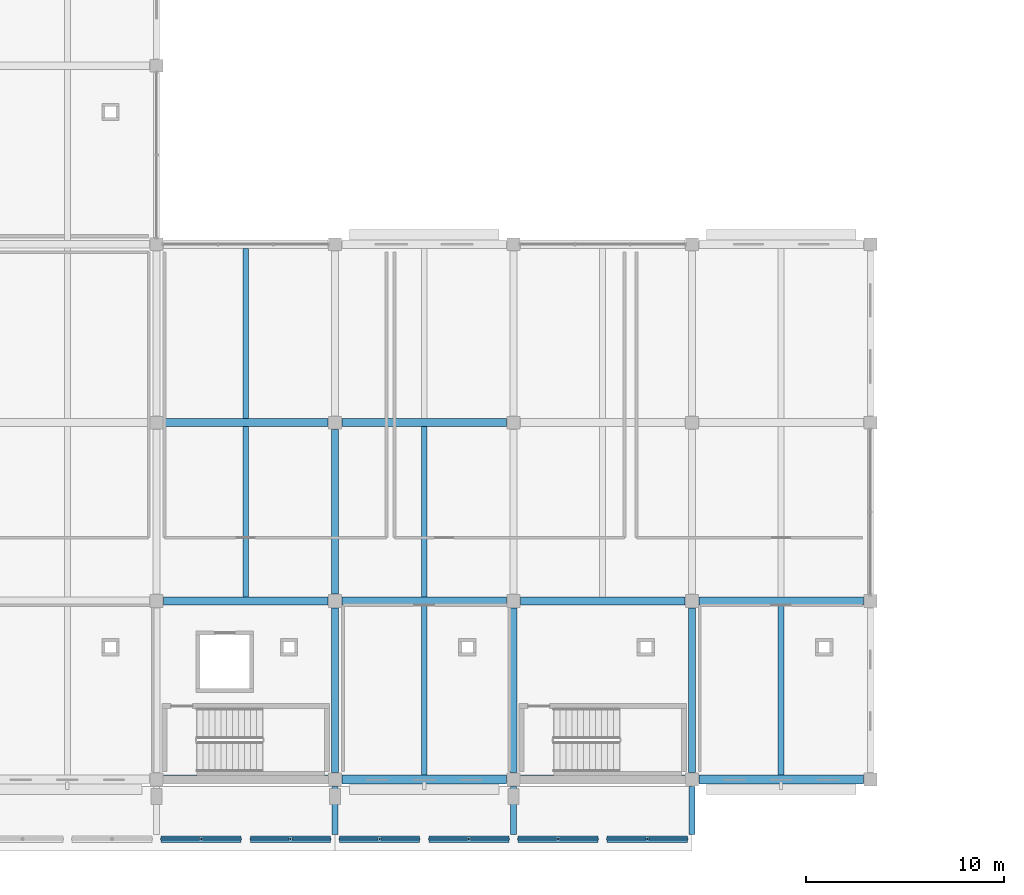
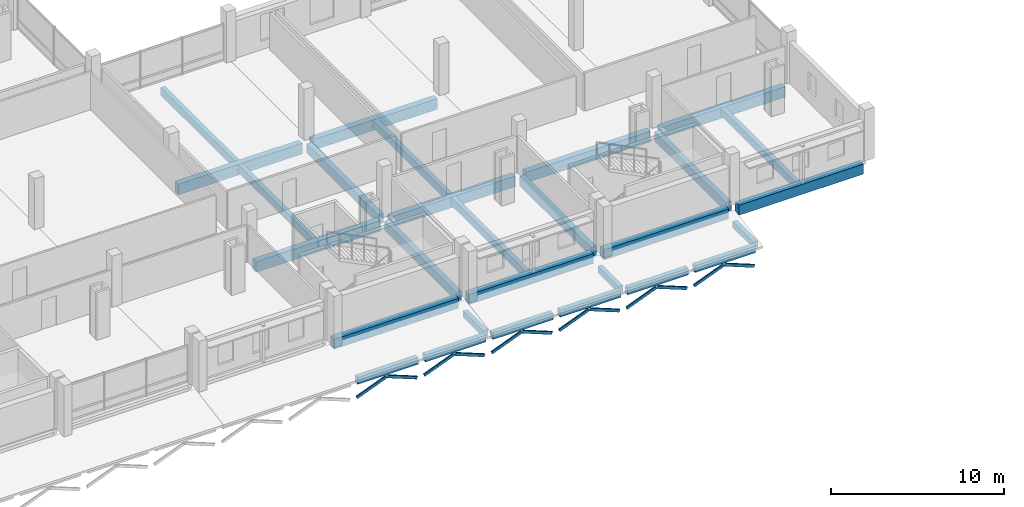
# One storey, part 40 of 132: 28 beams, 12 members.
"""IFC4 building model written with IfcOpenShell, lengths in metres."""

from ifc_helpers import new_model, si_unit, direction, frame, origin, origin_2d, place, context, subcontext, project, spatial, rectangle, hollow_rectangle, extrude, material, material_profile, profile_set, type_object, element, save


model = new_model("IFC4")

# Units and contexts
model_context = context("Model", 3, precision=1e-05, world=origin(), true_north=direction((0.0, 1.0)))
body_context = subcontext(model_context, "Body", "Model", "MODEL_VIEW")
ifc_project = project(units=[si_unit("LENGTHUNIT", "METRE"), si_unit("AREAUNIT", "SQUARE_METRE"), si_unit("VOLUMEUNIT", "CUBIC_METRE"), si_unit("PLANEANGLEUNIT", "RADIAN"), si_unit("MASSUNIT", "GRAM", prefix="KILO")], contexts=[model_context])

# Site, building, storey
site_placement = place(None, origin())
site = spatial("IfcSite", under=ifc_project, at=site_placement, CompositionType="ELEMENT")
building_placement = place(site_placement, origin())
building = spatial("IfcBuilding", under=site, at=building_placement, Name="Tharagai Park Tramway Depot", CompositionType="ELEMENT")
storey_placement = place(building_placement, frame((0.0, 0.0, 4.800048828125)))
storey = spatial("IfcBuildingStorey", under=building, at=storey_placement, Name="L01", CompositionType="ELEMENT", Elevation=4.800048828125)

# Beams
ifc_material_1 = material(Name="Concrete M35", Category="concrete")
ifc_material_profile_1 = material_profile(ifc_material_1, rectangle(XDim=0.35009765625, YDim=0.64990234375, at=origin_2d()), Name="RC 350x650")
ifc_profile_set_1 = profile_set([ifc_material_profile_1], Name="Concrete M35")
beam_type_1 = type_object("IfcBeamType", Name="BM-13", PredefinedType="BEAM", material=ifc_profile_set_1)
for number, where, z_axis, x_axis, name in (
    (1, (72.0, 0.35009765625, -0.574951171875), (0.0, 1.0, 0.0), (-1.0, 0.0, 0.0), "L01 Grid Beam BM-13"),
    (2, (72.0, 9.35009765625, -0.574951171875), (0.0, 1.0, 0.0), (-1.0, 0.0, 0.0), "L01 Grid Beam BM-13"),
    (3, (81.0, 0.35009765625, -0.574951171875), (0.0, 1.0, 0.0), (-1.0, 0.0, 0.0), "L01 Grid Beam BM-13"),
    (4, (90.0, 0.35009765625, -0.574951171875), (0.0, 1.0, 0.0), (-1.0, 0.0, 0.0), "L01 Grid Beam BM-13"),
):
    element("IfcBeam", number, at=place(storey_placement, frame(where, z_axis=z_axis, x_axis=x_axis)), inside=storey, type_object=beam_type_1, Name=name, PredefinedType="BEAM", context=body_context, shape_type="SweptSolid", body=[
        extrude(rectangle(XDim=0.35009765625, YDim=0.64990234375, at=origin_2d()), origin(), (0.0, 0.0, 1.0), 8.2998046875),
    ])
ifc_material_profile_2 = material_profile(ifc_material_1, rectangle(XDim=0.300048828125, YDim=0.449951171875, at=origin_2d()), Name="RC 300x450")
ifc_profile_set_2 = profile_set([ifc_material_profile_2], Name="Concrete M35")
beam_type_2 = type_object("IfcBeamType", Name="BM-14", PredefinedType="BEAM", material=ifc_profile_set_2)
for number, where, z_axis, x_axis, name in (
    (5, (72.0, -2.760009765625, -1.344970703125), (0.0, 1.0, 0.0), (-1.0, 0.0, 0.0), "Gothic Cloister Transverse Tie Beam BM-14"),
    (6, (81.0, -2.760009765625, -1.344970703125), (0.0, 1.0, 0.0), (-1.0, 0.0, 0.0), "Gothic Cloister Transverse Tie Beam BM-14"),
    (7, (90.0, -2.760009765625, -1.344970703125), (0.0, 1.0, 0.0), (-1.0, 0.0, 0.0), "Gothic Cloister Transverse Tie Beam BM-14"),
):
    element("IfcBeam", number, at=place(storey_placement, frame(where, z_axis=z_axis, x_axis=x_axis)), inside=storey, type_object=beam_type_2, Name=name, PredefinedType="BEAM", context=body_context, shape_type="SweptSolid", body=[
        extrude(rectangle(XDim=0.300048828125, YDim=0.449951171875, at=origin_2d()), origin(), (0.0, 0.0, 1.0), 2.39990234375),
    ])
ifc_material_profile_3 = material_profile(ifc_material_1, rectangle(XDim=0.39990234375, YDim=0.75, at=origin_2d()), Name="RC 400x750")
ifc_profile_set_3 = profile_set([ifc_material_profile_3], Name="Concrete M35")
beam_type_3 = type_object("IfcBeamType", Name="BM-19", PredefinedType="BEAM", material=ifc_profile_set_3)
for number, where, z_axis, x_axis, name in (
    (8, (63.35009765625, 9.0, -0.625), (1.0, 0.0, 0.0), (0.0, 1.0, 0.0), "L01 Grid Beam BM-19"),
    (9, (72.35009765625, 9.0, -0.625), (1.0, 0.0, 0.0), (0.0, 1.0, 0.0), "L01 Grid Beam BM-19"),
    (10, (81.35009765625, 9.0, -0.625), (1.0, 0.0, 0.0), (0.0, 1.0, 0.0), "L01 Grid Beam BM-19"),
    (11, (90.35009765625, 9.0, -0.625), (1.0, 0.0, 0.0), (0.0, 1.0, 0.0), "L01 Grid Beam BM-19"),
    (12, (63.35009765625, 18.0, -0.625), (1.0, 0.0, 0.0), (0.0, 1.0, 0.0), "L01 Grid Beam BM-19"),
    (13, (72.35009765625, 18.0, -0.625), (1.0, 0.0, 0.0), (0.0, 1.0, 0.0), "L01 Grid Beam BM-19"),
):
    element("IfcBeam", number, at=place(storey_placement, frame(where, z_axis=z_axis, x_axis=x_axis)), inside=storey, type_object=beam_type_3, Name=name, PredefinedType="BEAM", context=body_context, shape_type="SweptSolid", body=[
        extrude(rectangle(XDim=0.39990234375, YDim=0.75, at=origin_2d()), origin(), (0.0, 0.0, 1.0), 8.2998046875),
    ])
ifc_material_profile_4 = material_profile(ifc_material_1, rectangle(XDim=0.300048828125, YDim=0.550048828125, at=origin_2d()), Name="RC 300x550")
ifc_profile_set_4 = profile_set([ifc_material_profile_4], Name="Concrete M35")
beam_type_4 = type_object("IfcBeamType", Name="JT-06", PredefinedType="JOIST", material=ifc_profile_set_4)
beam_1_placement = place(storey_placement, frame((67.5, 9.199951171875, -0.525146484375), z_axis=(0.0, 1.0, 0.0), x_axis=(-1.0, 0.0, 0.0)))
element("IfcBeam", 14, at=beam_1_placement, inside=storey, type_object=beam_type_4, Name="L01 Secondary Joist JT-06", PredefinedType="JOIST", context=body_context, shape_type="SweptSolid", body=[
    extrude(rectangle(XDim=0.300048828125, YDim=0.550048828125, at=origin_2d()), origin(), (0.0, 0.0, 1.0), 8.60009765625),
])
for number, where, z_axis, x_axis, name in (
    (15, (67.5, 18.199951171875, -0.525146484375), (0.0, 1.0, 0.0), (-1.0, 0.0, 0.0), "L01 Secondary Joist JT-06"),
    (16, (76.5, 0.22509765625, -0.525146484375), (0.0, 1.0, 0.0), (-1.0, 0.0, 0.0), "L01 Secondary Joist JT-06"),
):
    element("IfcBeam", number, at=place(storey_placement, frame(where, z_axis=z_axis, x_axis=x_axis)), inside=storey, type_object=beam_type_4, Name=name, PredefinedType="JOIST", context=body_context, shape_type="SweptSolid", body=[
        extrude(rectangle(XDim=0.300048828125, YDim=0.550048828125, at=origin_2d()), origin(), (0.0, 0.0, 1.0), 8.574951171875),
    ])
beam_2_placement = place(storey_placement, frame((76.5, 9.199951171875, -0.525146484375), z_axis=(0.0, 1.0, 0.0), x_axis=(-1.0, 0.0, 0.0)))
element("IfcBeam", 17, at=beam_2_placement, inside=storey, type_object=beam_type_4, Name="L01 Secondary Joist JT-06", PredefinedType="JOIST", context=body_context, shape_type="SweptSolid", body=[
    extrude(rectangle(XDim=0.300048828125, YDim=0.550048828125, at=origin_2d()), origin(), (0.0, 0.0, 1.0), 8.60009765625),
])
beam_3_placement = place(storey_placement, frame((94.5, 0.22509765625, -0.525146484375), z_axis=(0.0, 1.0, 0.0), x_axis=(-1.0, 0.0, 0.0)))
element("IfcBeam", 18, at=beam_3_placement, inside=storey, type_object=beam_type_4, Name="L01 Secondary Joist JT-06", PredefinedType="JOIST", context=body_context, shape_type="SweptSolid", body=[
    extrude(rectangle(XDim=0.300048828125, YDim=0.550048828125, at=origin_2d()), origin(), (0.0, 0.0, 1.0), 8.574951171875),
])

# Members
ifc_material_2 = material(Name="Steel E350", Category="steel")
ifc_material_profile_5 = material_profile(ifc_material_2, hollow_rectangle(XDim=0.10009765625, YDim=0.199951171875, WallThickness=0.006103515625, InnerFilletRadius=0.006103515625, OuterFilletRadius=0.011962890625, at=origin_2d()), Name="RHS 200x100x6")
ifc_profile_set_5 = profile_set([ifc_material_profile_5], Name="Steel E350")
member_type = type_object("IfcMemberType", Name="RF-04", PredefinedType="RAFTER", material=ifc_profile_set_5)
for number, where, z_axis, x_axis, name in (
    (19, (63.239990234375, -3.0, -2.6201171875), (0.929766353739, 0.0, 0.368150142545), (0.0, 1.0, 0.0), "Pointed Gothic Arcade Arch Rib Left RF-04"),
    (20, (67.260009765625, -3.0, -2.6201171875), (-0.929766353739, 0.0, 0.368150142545), (0.0, -1.0, 0.0), "Pointed Gothic Arcade Arch Rib Right RF-04"),
    (21, (67.739990234375, -3.0, -2.6201171875), (0.929766353739, 0.0, 0.368150142545), (0.0, 1.0, 0.0), "Pointed Gothic Arcade Arch Rib Left RF-04"),
    (22, (71.760009765625, -3.0, -2.6201171875), (-0.929766353739, 0.0, 0.368150142545), (0.0, -1.0, 0.0), "Pointed Gothic Arcade Arch Rib Right RF-04"),
    (23, (72.239990234375, -3.0, -2.6201171875), (0.929766353739, 0.0, 0.368150142545), (0.0, 1.0, 0.0), "Pointed Gothic Arcade Arch Rib Left RF-04"),
    (24, (76.260009765625, -3.0, -2.6201171875), (-0.929766353739, 0.0, 0.368150142545), (0.0, -1.0, 0.0), "Pointed Gothic Arcade Arch Rib Right RF-04"),
    (25, (76.739990234375, -3.0, -2.6201171875), (0.929766353739, 0.0, 0.368150142545), (0.0, 1.0, 0.0), "Pointed Gothic Arcade Arch Rib Left RF-04"),
    (26, (80.760009765625, -3.0, -2.6201171875), (-0.929766353739, 0.0, 0.368150142545), (0.0, -1.0, 0.0), "Pointed Gothic Arcade Arch Rib Right RF-04"),
    (27, (81.239990234375, -3.0, -2.6201171875), (0.929766353739, 0.0, 0.368150142545), (0.0, 1.0, 0.0), "Pointed Gothic Arcade Arch Rib Left RF-04"),
    (28, (85.260009765625, -3.0, -2.6201171875), (-0.929766353739, 0.0, 0.368150142545), (0.0, -1.0, 0.0), "Pointed Gothic Arcade Arch Rib Right RF-04"),
    (29, (85.739990234375, -3.0, -2.6201171875), (0.929766353739, 0.0, 0.368150142545), (0.0, 1.0, 0.0), "Pointed Gothic Arcade Arch Rib Left RF-04"),
    (30, (89.760009765625, -3.0, -2.6201171875), (-0.929766353739, 0.0, 0.368150142545), (0.0, -1.0, 0.0), "Pointed Gothic Arcade Arch Rib Right RF-04"),
):
    element("IfcMember", number, at=place(storey_placement, frame(where, z_axis=z_axis, x_axis=x_axis)), inside=storey, type_object=member_type, Name=name, PredefinedType="RAFTER", context=body_context, shape_type="SweptSolid", body=[
        extrude(hollow_rectangle(XDim=0.10009765625, YDim=0.199951171875, WallThickness=0.006103515625, InnerFilletRadius=0.006103515625, OuterFilletRadius=0.011962890625, at=origin_2d()), origin(), (0.0, 0.0, 1.0), 2.118896484375),
    ])

# Beams
ifc_material_profile_6 = material_profile(ifc_material_1, rectangle(XDim=0.449951171875, YDim=0.699951171875, at=origin_2d()), Name="RC 450x700")
ifc_profile_set_6 = profile_set([ifc_material_profile_6], Name="Concrete M35")
beam_type_5 = type_object("IfcBeamType", Name="SP-01", PredefinedType="SPANDREL", material=ifc_profile_set_6)
for number, where, z_axis, x_axis, name in (
    (31, (63.35009765625, 0.0, -0.60009765625), (1.0, 0.0, 0.0), (0.0, 1.0, 0.0), "L01 Grid Beam SP-01"),
    (32, (72.35009765625, 0.0, -0.60009765625), (1.0, 0.0, 0.0), (0.0, 1.0, 0.0), "L01 Grid Beam SP-01"),
    (33, (81.35009765625, 0.0, -0.60009765625), (1.0, 0.0, 0.0), (0.0, 1.0, 0.0), "L01 Grid Beam SP-01"),
    (34, (90.35009765625, 0.0, -0.60009765625), (1.0, 0.0, 0.0), (0.0, 1.0, 0.0), "L01 Grid Beam SP-01"),
):
    element("IfcBeam", number, at=place(storey_placement, frame(where, z_axis=z_axis, x_axis=x_axis)), inside=storey, type_object=beam_type_5, Name=name, PredefinedType="SPANDREL", context=body_context, shape_type="SweptSolid", body=[
        extrude(rectangle(XDim=0.449951171875, YDim=0.699951171875, at=origin_2d()), origin(), (0.0, 0.0, 1.0), 8.2998046875),
    ])
ifc_material_profile_7 = material_profile(ifc_material_1, rectangle(XDim=0.320068359375, YDim=0.47998046875, at=origin_2d()), Name="RC 320x480")
ifc_profile_set_7 = profile_set([ifc_material_profile_7], Name="Concrete M35")
beam_type_6 = type_object("IfcBeamType", Name="SP-05", PredefinedType="SPANDREL", material=ifc_profile_set_7)
for number, where, z_axis, x_axis, name in (
    (35, (63.22998046875, -3.0, -1.360107421875), (1.0, 0.0, 0.0), (0.0, 1.0, 0.0), "Gothic Cloister Arcade Spandrel Lintel SP-05"),
    (36, (67.72998046875, -3.0, -1.360107421875), (1.0, 0.0, 0.0), (0.0, 1.0, 0.0), "Gothic Cloister Arcade Spandrel Lintel SP-05"),
    (37, (72.22998046875, -3.0, -1.360107421875), (1.0, 0.0, 0.0), (0.0, 1.0, 0.0), "Gothic Cloister Arcade Spandrel Lintel SP-05"),
    (38, (76.72998046875, -3.0, -1.360107421875), (1.0, 0.0, 0.0), (0.0, 1.0, 0.0), "Gothic Cloister Arcade Spandrel Lintel SP-05"),
    (39, (81.22998046875, -3.0, -1.360107421875), (1.0, 0.0, 0.0), (0.0, 1.0, 0.0), "Gothic Cloister Arcade Spandrel Lintel SP-05"),
    (40, (85.72998046875, -3.0, -1.360107421875), (1.0, 0.0, 0.0), (0.0, 1.0, 0.0), "Gothic Cloister Arcade Spandrel Lintel SP-05"),
):
    element("IfcBeam", number, at=place(storey_placement, frame(where, z_axis=z_axis, x_axis=x_axis)), inside=storey, type_object=beam_type_6, Name=name, PredefinedType="SPANDREL", context=body_context, shape_type="SweptSolid", body=[
        extrude(rectangle(XDim=0.320068359375, YDim=0.47998046875, at=origin_2d()), origin(), (0.0, 0.0, 1.0), 4.0400390625),
    ])

save(model, "model.ifc")
